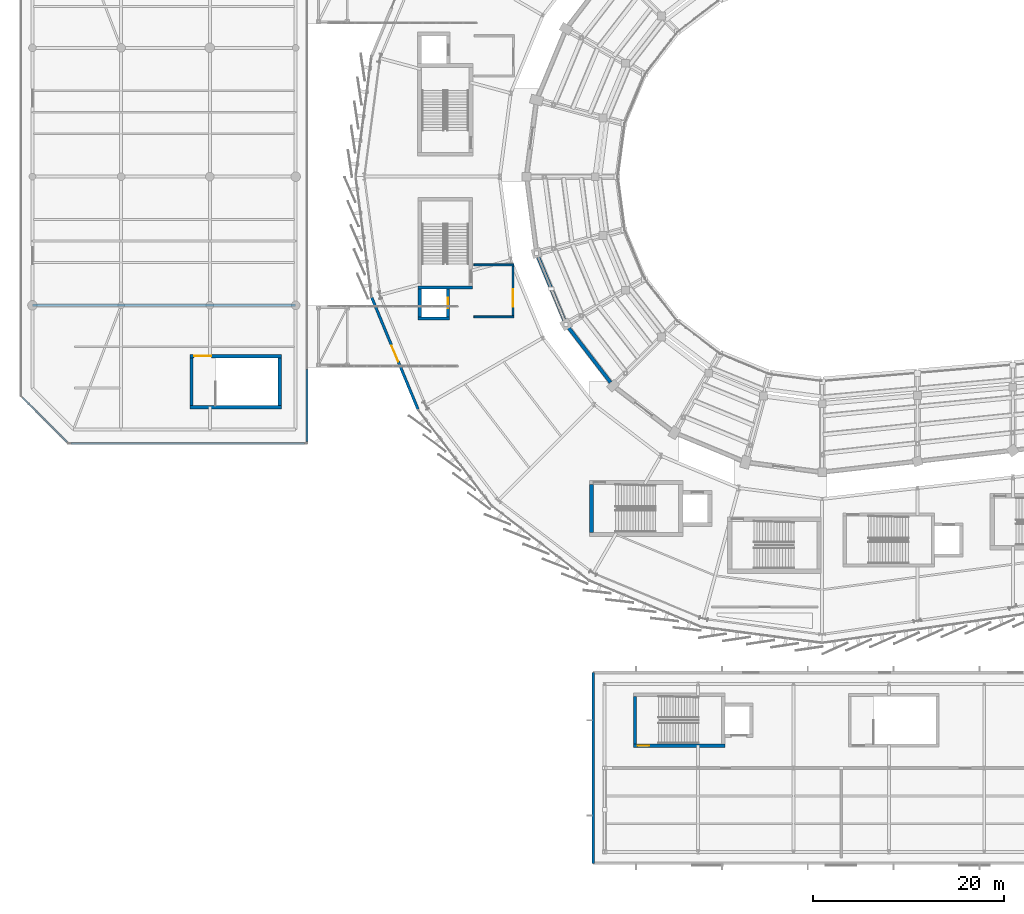
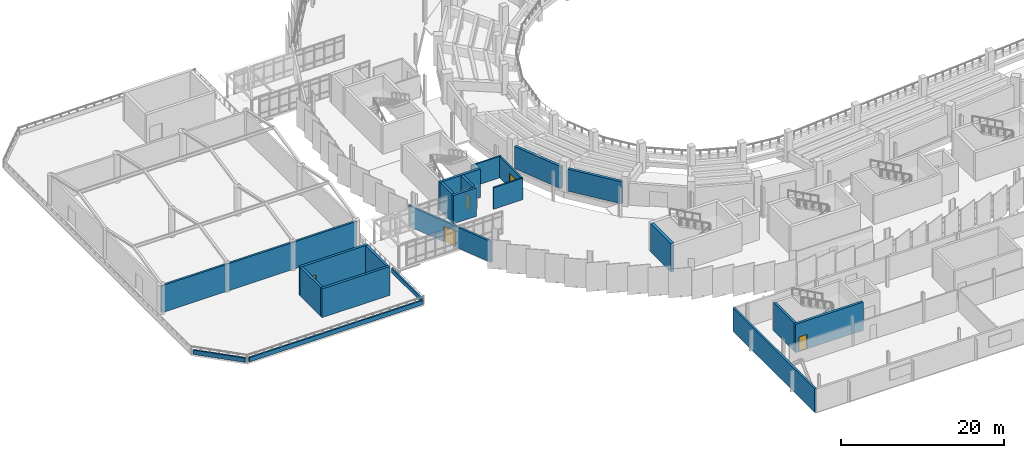
# One storey, part 97 of 120: 22 walls, 5 doors, 5 openings.
"""IFC4 building model written with IfcOpenShell, lengths in metres."""

from ifc_helpers import new_model, si_unit, direction, frame, frame_2d, origin, place, context, subcontext, project, spatial, rectangle, extrude, material, layer, layer_set, type_object, element, fill, save


model = new_model("IFC4")

# Units and contexts
model_context = context("Model", 3, precision=1e-05, world=origin(), true_north=direction((0.0, 1.0)))
body_context = subcontext(model_context, "Body", "Model", "MODEL_VIEW")
ifc_project = project(units=[si_unit("LENGTHUNIT", "METRE"), si_unit("AREAUNIT", "SQUARE_METRE"), si_unit("VOLUMEUNIT", "CUBIC_METRE"), si_unit("PLANEANGLEUNIT", "RADIAN"), si_unit("MASSUNIT", "GRAM", prefix="KILO")], contexts=[model_context])

# Site, building, storey
site_placement = place(None, origin())
site = spatial("IfcSite", under=ifc_project, at=site_placement, CompositionType="ELEMENT")
building_placement = place(site_placement, origin())
building = spatial("IfcBuilding", under=site, at=building_placement, Name="Sohan Crest Arena", CompositionType="ELEMENT")
storey_placement = place(building_placement, frame((0.0, 0.0, 13.5)))
storey = spatial("IfcBuildingStorey", under=building, at=storey_placement, Name="L03", CompositionType="ELEMENT", Elevation=13.5)

# Wall, opening, door
ifc_material_1 = material(Name="Clinker brick and ceramic mosaic envelope wall", Category="masonry")
ifc_layer_1 = layer(ifc_material_1, 0.280029296875, Name="Clinker brick and ceramic mosaic envelope wall")
ifc_layer_set_1 = layer_set([ifc_layer_1], Name="Clinker brick and ceramic mosaic envelope wall")
wall_type_1 = type_object("IfcWallType", Name="WAL-EW02", PredefinedType="SOLIDWALL", material=ifc_layer_set_1)
wall_1_placement = place(storey_placement, frame((50.76611328125, 65.343994140625, 0.0), z_axis=(0.0, 0.0, 1.0), x_axis=(0.382653578879, -0.923891897665, 0.0)))
wall_1 = element("IfcWall", 1, at=wall_1_placement, inside=storey, type_object=wall_type_1, Name="External wall EW-097", PredefinedType="SOLIDWALL", context=body_context, shape_type="SweptSolid", body=[
    extrude(rectangle(XDim=12.765625, YDim=0.280029296875, at=frame_2d((6.3828125, 0.0))), origin(), (0.0, 0.0, 1.0), 3.10009765625),
])
opening_1_placement = place(wall_1_placement, frame((5.48291015625, 0.0, 0.0)))
opening_1 = element("IfcOpeningElement", 2, at=opening_1_placement, cuts=wall_1, Name="Opening BD-L03-08", PredefinedType="OPENING", context=body_context, shape_type="SweptSolid", body=[
    extrude(rectangle(XDim=1.800048828125, YDim=2.35009765625, at=frame_2d((0.89990234375, 1.175048828125))), frame((0.0, 0.14990234375, 0.0), z_axis=(0.0, -1.0, 0.0), x_axis=(1.0, 0.0, 0.0)), (0.0, 0.0, 1.0), 0.300048828125),
])
ifc_material_2 = material(Name="Glazed aluminium terrace access door", Category="aluminium")
door_type_1 = type_object("IfcDoorType", Name="DR-ED01", OperationType="DOUBLE_DOOR_SINGLE_SWING", PredefinedType="DOOR", material=ifc_material_2)
door_1_placement = place(opening_1_placement, frame((1.800048828125, 0.0, 0.0), z_axis=(0.0, 0.0, 1.0), x_axis=(-1.0, 0.0, 0.0)))
door_1 = element("IfcDoor", 3, at=door_1_placement, inside=storey, type_object=door_type_1, Name="Covered bridge passage door BD-L03-08", OperationType="DOUBLE_DOOR_SINGLE_SWING", OverallHeight=2.35009765625, OverallWidth=1.800048828125, PredefinedType="DOOR", context=body_context, shape_type="SweptSolid", body=[
    extrude(rectangle(XDim=1.800048828125, YDim=2.35009765625, at=frame_2d((0.89990234375, 1.175048828125))), frame((0.0, 0.02490234375, 0.0), z_axis=(0.0, -1.0, 0.0), x_axis=(1.0, 0.0, 0.0)), (0.0, 0.0, 1.0), 0.050048828125),
])
fill(opening_1, door_1)

# Walls
wall_2_placement = place(storey_placement, frame((74.0, 26.0, 0.0), z_axis=(0.0, 0.0, 1.0), x_axis=(0.0, -1.0, 0.0)))
element("IfcWall", 4, at=wall_2_placement, inside=storey, type_object=wall_type_1, Name="External wall EW-141", PredefinedType="SOLIDWALL", context=body_context, shape_type="SweptSolid", body=[
    extrude(rectangle(XDim=20.0, YDim=0.280029296875, at=frame_2d((10.0, 0.0))), origin(), (0.0, 0.0, 1.0), 3.5),
])
wall_3_placement = place(storey_placement, frame((15.199951171875, 64.5, 0.0), z_axis=(0.0, 0.0, 1.0), x_axis=(1.0, 0.0, 0.0)))
element("IfcWall", 5, at=wall_3_placement, inside=storey, type_object=wall_type_1, Name="Interior partition wall PW-0895", PredefinedType="SOLIDWALL", context=body_context, shape_type="SweptSolid", body=[
    extrude(rectangle(XDim=27.60009765625, YDim=0.280029296875, at=frame_2d((13.800048828125, 0.0))), origin(), (0.0, 0.0, 1.0), 4.050048828125),
])
ifc_material_3 = material(Name="Acoustic insulated bowl drum enclosure wall", Category="masonry")
ifc_layer_2 = layer(ifc_material_3, 0.3701171875, Name="Acoustic insulated bowl drum enclosure wall")
ifc_layer_set_2 = layer_set([ifc_layer_2], Name="Acoustic insulated bowl drum enclosure wall")
wall_type_2 = type_object("IfcWallType", Name="WAL-EW05", PredefinedType="SOLIDWALL", material=ifc_layer_set_2)
wall_4_placement = place(storey_placement, frame((68.22412109375, 69.570068359375, 0.0), z_axis=(0.0, 0.0, 1.0), x_axis=(0.382807189089, -0.923828261086, 0.0)))
element("IfcWall", 6, at=wall_4_placement, inside=storey, type_object=wall_type_2, Name="Acoustic bowl drum wall BW-L03-08", PredefinedType="SOLIDWALL", context=body_context, shape_type="SweptSolid", body=[
    extrude(rectangle(XDim=7.21240234375, YDim=0.3701171875, at=frame_2d((3.606201171875, 0.0))), origin(), (0.0, 0.0, 1.0), 3.300048828125),
])
wall_5_placement = place(storey_placement, frame((71.4208984375, 62.15087890625, 0.0), z_axis=(0.0, 0.0, 1.0), x_axis=(0.608807390719, -0.793318070515, 0.0)))
element("IfcWall", 7, at=wall_5_placement, inside=storey, type_object=wall_type_2, Name="Acoustic bowl drum wall BW-L03-09", PredefinedType="SOLIDWALL", context=body_context, shape_type="SweptSolid", body=[
    extrude(rectangle(XDim=7.212646484375, YDim=0.3701171875, at=frame_2d((3.6064453125, 0.0))), origin(), (0.0, 0.0, 1.0), 3.300048828125),
])
ifc_material_4 = material(Name="Fire-rated masonry blockwork compartment wall", Category="masonry")
ifc_layer_3 = layer(ifc_material_4, 0.199951171875, Name="Fire-rated masonry blockwork compartment wall")
ifc_layer_set_3 = layer_set([ifc_layer_3], Name="Fire-rated masonry blockwork compartment wall")
wall_type_3 = type_object("IfcWallType", Name="WAL-FW01", PredefinedType="PARTITIONING", material=ifc_layer_set_3)
for number, where, z_axis, x_axis, name in (
    (8, (61.489990234375, 63.300048828125, 0.0), (0.0, 0.0, 1.0), (1.0, 0.0, 0.0), "Interior partition wall PW-0048"),
    (9, (61.489990234375, 68.75, 0.0), (0.0, 0.0, 1.0), (1.0, 0.0, 0.0), "Interior partition wall PW-0049"),
):
    element("IfcWall", number, at=place(storey_placement, frame(where, z_axis=z_axis, x_axis=x_axis)), inside=storey, type_object=wall_type_3, Name=name, PredefinedType="PARTITIONING", context=body_context, shape_type="SweptSolid", body=[
        extrude(rectangle(XDim=4.179931640625, YDim=0.199951171875, at=frame_2d((2.08984375, 0.0))), origin(), (0.0, 0.0, 1.0), 3.219970703125),
    ])

# Wall, opening, door
wall_6_placement = place(storey_placement, frame((65.570068359375, 63.419921875, 0.0), z_axis=(0.0, 0.0, 1.0), x_axis=(0.0, 1.0, 0.0)))
wall_6 = element("IfcWall", 10, at=wall_6_placement, inside=storey, type_object=wall_type_3, Name="Interior partition wall PW-0050", PredefinedType="PARTITIONING", context=body_context, shape_type="SweptSolid", body=[
    extrude(rectangle(XDim=5.2099609375, YDim=0.199951171875, at=frame_2d((2.60498046875, 0.0))), origin(), (0.0, 0.0, 1.0), 3.219970703125),
])
opening_2_placement = place(wall_6_placement, frame((0.949951171875, 0.0, 0.0)))
opening_2 = element("IfcOpeningElement", 11, at=opening_2_placement, cuts=wall_6, Name="Opening FFL-0015", PredefinedType="OPENING", context=body_context, shape_type="SweptSolid", body=[
    extrude(rectangle(XDim=1.800048828125, YDim=2.199951171875, at=frame_2d((0.89990234375, 1.10009765625))), frame((0.0, 0.10986328125, 0.0), z_axis=(0.0, -1.0, 0.0), x_axis=(1.0, 0.0, 0.0)), (0.0, 0.0, 1.0), 0.219970703125),
])
ifc_material_5 = material(Name="Fire-rated timber-faced lobby double door", Category="wood")
door_type_2 = type_object("IfcDoorType", Name="DR-FD03", OperationType="DOUBLE_DOOR_SINGLE_SWING", PredefinedType="DOOR", material=ifc_material_5)
door_2_placement = place(opening_2_placement, origin())
door_2 = element("IfcDoor", 12, at=door_2_placement, inside=storey, type_object=door_type_2, Name="Firefighting lift lobby door FL01 FFL-0015", OperationType="DOUBLE_DOOR_SINGLE_SWING", OverallHeight=2.199951171875, OverallWidth=1.800048828125, PredefinedType="DOOR", context=body_context, shape_type="SweptSolid", body=[
    extrude(rectangle(XDim=1.800048828125, YDim=2.199951171875, at=frame_2d((0.89990234375, 1.10009765625))), frame((0.0, 0.02490234375, 0.0), z_axis=(0.0, -1.0, 0.0), x_axis=(1.0, 0.0, 0.0)), (0.0, 0.0, 1.0), 0.050048828125),
])
fill(opening_2, door_2)

# Walls
ifc_material_6 = material(Name="Glazed trencadis ceramic parapet wall", Category="masonry")
ifc_layer_4 = layer(ifc_material_6, 0.2099609375, Name="Glazed trencadis ceramic parapet wall")
ifc_layer_set_4 = layer_set([ifc_layer_4], Name="Glazed trencadis ceramic parapet wall")
wall_type_4 = type_object("IfcWallType", Name="WAL-PP01", PredefinedType="PARAPET", material=ifc_layer_set_4)
wall_7_placement = place(storey_placement, frame((19.25, 50.0, 0.0), z_axis=(0.0, 0.0, 1.0), x_axis=(1.0, 0.0, 0.0)))
element("IfcWall", 13, at=wall_7_placement, inside=storey, type_object=wall_type_4, Name="Ceramic mosaic terrace parapet PP-01", PredefinedType="PARAPET", context=body_context, shape_type="SweptSolid", body=[
    extrude(rectangle(XDim=24.5, YDim=0.2099609375, at=frame_2d((12.25, 0.0))), origin(), (0.0, 0.0, 1.0), 0.64990234375),
])
wall_8_placement = place(storey_placement, frame((44.0, 50.25, 0.0), z_axis=(0.0, 0.0, 1.0), x_axis=(0.0, 1.0, 0.0)))
element("IfcWall", 14, at=wall_8_placement, inside=storey, type_object=wall_type_4, Name="Ceramic mosaic terrace parapet PP-02", PredefinedType="PARAPET", context=body_context, shape_type="SweptSolid", body=[
    extrude(rectangle(XDim=7.550048828125, YDim=0.2099609375, at=frame_2d((3.77490234375, 0.0))), origin(), (0.0, 0.0, 1.0), 0.64990234375),
])
wall_9_placement = place(storey_placement, frame((14.177001953125, 54.822998046875, 0.0), z_axis=(0.0, 0.0, 1.0), x_axis=(0.707106781187, -0.707106781187, 0.0)))
element("IfcWall", 15, at=wall_9_placement, inside=storey, type_object=wall_type_4, Name="Ceramic mosaic terrace parapet PP-08", PredefinedType="PARAPET", context=body_context, shape_type="SweptSolid", body=[
    extrude(rectangle(XDim=6.5703125, YDim=0.2099609375, at=frame_2d((3.28515625, 0.0))), origin(), (0.0, 0.0, 1.0), 0.64990234375),
])
ifc_material_7 = material(Name="Concrete C40/50", Category="concrete")
ifc_layer_5 = layer(ifc_material_7, 0.35009765625, Name="Concrete C40/50")
ifc_layer_set_5 = layer_set([ifc_layer_5], Name="Concrete C40/50")
wall_type_5 = type_object("IfcWallType", Name="WAL-SW02", PredefinedType="SHEAR", material=ifc_layer_set_5)
wall_10_placement = place(storey_placement, frame((55.64990234375, 66.375, 0.0), z_axis=(0.0, 0.0, 1.0), x_axis=(1.0, 0.0, 0.0)))
element("IfcWall", 16, at=wall_10_placement, inside=storey, type_object=wall_type_5, Name="Core shear wall SW-0041", PredefinedType="SHEAR", context=body_context, shape_type="SweptSolid", body=[
    extrude(rectangle(XDim=5.7001953125, YDim=0.35009765625, at=frame_2d((2.85009765625, 0.0))), origin(), (0.0, 0.0, 1.0), 4.25),
])
wall_11_placement = place(storey_placement, frame((55.824951171875, 63.300048828125, 0.0), z_axis=(0.0, 0.0, 1.0), x_axis=(0.0, 1.0, 0.0)))
element("IfcWall", 17, at=wall_11_placement, inside=storey, type_object=wall_type_5, Name="Core shear wall SW-0045", PredefinedType="SHEAR", context=body_context, shape_type="SweptSolid", body=[
    extrude(rectangle(XDim=2.89990234375, YDim=0.35009765625, at=frame_2d((1.449951171875, 0.0))), origin(), (0.0, 0.0, 1.0), 4.25),
])

# Wall, opening, door
wall_12_placement = place(storey_placement, frame((58.77490234375, 63.300048828125, 0.0), z_axis=(0.0, 0.0, 1.0), x_axis=(0.0, 1.0, 0.0)))
wall_12 = element("IfcWall", 18, at=wall_12_placement, inside=storey, type_object=wall_type_5, Name="Core shear wall SW-0046", PredefinedType="SHEAR", context=body_context, shape_type="SweptSolid", body=[
    extrude(rectangle(XDim=2.89990234375, YDim=0.35009765625, at=frame_2d((1.449951171875, 0.0))), origin(), (0.0, 0.0, 1.0), 4.25),
])
opening_3_placement = place(wall_12_placement, frame((0.89990234375, 0.0, 0.0)))
opening_3 = element("IfcOpeningElement", 19, at=opening_3_placement, cuts=wall_12, Name="Opening LD-FL01-L03", PredefinedType="OPENING", context=body_context, shape_type="SweptSolid", body=[
    extrude(rectangle(XDim=1.10009765625, YDim=2.199951171875, at=frame_2d((0.550048828125, 1.10009765625))), frame((0.0, 0.18505859375, 0.0), z_axis=(0.0, -1.0, 0.0), x_axis=(1.0, 0.0, 0.0)), (0.0, 0.0, 1.0), 0.3701171875),
])
ifc_material_8 = material(Name="Stainless steel firefighting lift landing door", Category="steel")
door_type_3 = type_object("IfcDoorType", Name="DR-LD01", OperationType="SLIDING_TO_LEFT", PredefinedType="DOOR", material=ifc_material_8)
door_3_placement = place(opening_3_placement, origin())
door_3 = element("IfcDoor", 20, at=door_3_placement, inside=storey, type_object=door_type_3, Name="Sliding lift landing door LD-FL01-L03", OperationType="SLIDING_TO_LEFT", OverallHeight=2.199951171875, OverallWidth=1.10009765625, PredefinedType="DOOR", context=body_context, shape_type="SweptSolid", body=[
    extrude(rectangle(XDim=1.10009765625, YDim=2.199951171875, at=frame_2d((0.550048828125, 1.10009765625))), frame((0.0, 0.02490234375, 0.0), z_axis=(0.0, -1.0, 0.0), x_axis=(1.0, 0.0, 0.0)), (0.0, 0.0, 1.0), 0.050048828125),
])
fill(opening_3, door_3)

# Walls
wall_13_placement = place(storey_placement, frame((55.64990234375, 63.125, 0.0), z_axis=(0.0, 0.0, 1.0), x_axis=(1.0, 0.0, 0.0)))
element("IfcWall", 21, at=wall_13_placement, inside=storey, type_object=wall_type_5, Name="Core shear wall SW-0047", PredefinedType="SHEAR", context=body_context, shape_type="SweptSolid", body=[
    extrude(rectangle(XDim=3.300048828125, YDim=0.35009765625, at=frame_2d((1.64990234375, 0.0))), origin(), (0.0, 0.0, 1.0), 4.25),
])
for number, where, z_axis, x_axis, name in (
    (22, (31.875, 54.0, 0.0), (0.0, 0.0, 1.0), (0.0, 1.0, 0.0), "Core shear wall SW-0552"),
    (23, (41.125, 54.0, 0.0), (0.0, 0.0, 1.0), (0.0, 1.0, 0.0), "Core shear wall SW-0553"),
):
    element("IfcWall", number, at=place(storey_placement, frame(where, z_axis=z_axis, x_axis=x_axis)), inside=storey, type_object=wall_type_5, Name=name, PredefinedType="SHEAR", context=body_context, shape_type="SweptSolid", body=[
        extrude(rectangle(XDim=5.0, YDim=0.35009765625, at=frame_2d((2.5, 0.0))), origin(), (0.0, 0.0, 1.0), 4.304931640625),
    ])
wall_14_placement = place(storey_placement, frame((31.699951171875, 53.824951171875, 0.0), z_axis=(0.0, 0.0, 1.0), x_axis=(1.0, 0.0, 0.0)))
element("IfcWall", 24, at=wall_14_placement, inside=storey, type_object=wall_type_5, Name="Core shear wall SW-0554", PredefinedType="SHEAR", context=body_context, shape_type="SweptSolid", body=[
    extrude(rectangle(XDim=9.60009765625, YDim=0.35009765625, at=frame_2d((4.800048828125, 0.0))), origin(), (0.0, 0.0, 1.0), 4.304931640625),
])

# Wall, opening, door
wall_15_placement = place(storey_placement, frame((31.699951171875, 59.175048828125, 0.0), z_axis=(0.0, 0.0, 1.0), x_axis=(1.0, 0.0, 0.0)))
wall_15 = element("IfcWall", 25, at=wall_15_placement, inside=storey, type_object=wall_type_5, Name="Core shear wall SW-0555", PredefinedType="SHEAR", context=body_context, shape_type="SweptSolid", body=[
    extrude(rectangle(XDim=9.60009765625, YDim=0.35009765625, at=frame_2d((4.800048828125, 0.0))), origin(), (0.0, 0.0, 1.0), 4.304931640625),
])
opening_4_placement = place(wall_15_placement, frame((0.449951171875, 0.0, 0.0)))
opening_4 = element("IfcOpeningElement", 26, at=opening_4_placement, cuts=wall_15, Name="Opening SD-0151", PredefinedType="OPENING", context=body_context, shape_type="SweptSolid", body=[
    extrude(rectangle(XDim=1.800048828125, YDim=2.35009765625, at=frame_2d((0.89990234375, 1.175048828125))), frame((0.0, 0.18505859375, 0.0), z_axis=(0.0, -1.0, 0.0), x_axis=(1.0, 0.0, 0.0)), (0.0, 0.0, 1.0), 0.3701171875),
])
door_4_placement = place(opening_4_placement, origin())
door_4 = element("IfcDoor", 27, at=door_4_placement, inside=storey, type_object=door_type_1, Name="Roof garden stair lobby door SD-0151", OperationType="DOUBLE_DOOR_SINGLE_SWING", OverallHeight=2.35009765625, OverallWidth=1.800048828125, PredefinedType="DOOR", context=body_context, shape_type="SweptSolid", body=[
    extrude(rectangle(XDim=1.800048828125, YDim=2.35009765625, at=frame_2d((0.89990234375, 1.175048828125))), frame((0.0, 0.02490234375, 0.0), z_axis=(0.0, -1.0, 0.0), x_axis=(1.0, 0.0, 0.0)), (0.0, 0.0, 1.0), 0.050048828125),
])
fill(opening_4, door_4)

# Wall
wall_16_placement = place(storey_placement, frame((78.375, 18.5, 0.0), z_axis=(0.0, 0.0, 1.0), x_axis=(0.0, 1.0, 0.0)))
element("IfcWall", 28, at=wall_16_placement, inside=storey, type_object=wall_type_5, Name="Core shear wall SW-0677", PredefinedType="SHEAR", context=body_context, shape_type="SweptSolid", body=[
    extrude(rectangle(XDim=5.0, YDim=0.35009765625, at=frame_2d((2.5, 0.0))), origin(), (0.0, 0.0, 1.0), 4.25),
])

# Wall, opening, door
wall_17_placement = place(storey_placement, frame((78.199951171875, 18.324951171875, 0.0), z_axis=(0.0, 0.0, 1.0), x_axis=(1.0, 0.0, 0.0)))
wall_17 = element("IfcWall", 29, at=wall_17_placement, inside=storey, type_object=wall_type_5, Name="Core shear wall SW-0679", PredefinedType="SHEAR", context=body_context, shape_type="SweptSolid", body=[
    extrude(rectangle(XDim=9.60009765625, YDim=0.35009765625, at=frame_2d((4.800048828125, 0.0))), origin(), (0.0, 0.0, 1.0), 4.25),
])
opening_5_placement = place(wall_17_placement, frame((0.449951171875, 0.0, 0.0)))
opening_5 = element("IfcOpeningElement", 30, at=opening_5_placement, cuts=wall_17, Name="Opening SD-0183", PredefinedType="OPENING", context=body_context, shape_type="SweptSolid", body=[
    extrude(rectangle(XDim=1.199951171875, YDim=2.199951171875, at=frame_2d((0.60009765625, 1.10009765625))), frame((0.0, 0.18505859375, 0.0), z_axis=(0.0, -1.0, 0.0), x_axis=(1.0, 0.0, 0.0)), (0.0, 0.0, 1.0), 0.3701171875),
])
ifc_material_9 = material(Name="Fire-rated steel stair and lobby door", Category="steel")
door_type_4 = type_object("IfcDoorType", Name="DR-FD04", OperationType="NOTDEFINED", PredefinedType="DOOR", material=ifc_material_9)
door_5_placement = place(opening_5_placement, frame((1.199951171875, 0.0, 0.0), z_axis=(0.0, 0.0, 1.0), x_axis=(-1.0, 0.0, 0.0)))
door_5 = element("IfcDoor", 31, at=door_5_placement, inside=storey, type_object=door_type_4, Name="Protected stair door SD-0183", OperationType="SINGLE_SWING_LEFT", OverallHeight=2.199951171875, OverallWidth=1.199951171875, PredefinedType="DOOR", context=body_context, shape_type="SweptSolid", body=[
    extrude(rectangle(XDim=1.199951171875, YDim=2.199951171875, at=frame_2d((0.60009765625, 1.10009765625))), frame((0.0, 0.02490234375, 0.0), z_axis=(0.0, -1.0, 0.0), x_axis=(1.0, 0.0, 0.0)), (0.0, 0.0, 1.0), 0.050048828125),
])
fill(opening_5, door_5)

# Wall
ifc_layer_6 = layer(ifc_material_7, 0.449951171875, Name="Concrete C40/50")
ifc_layer_set_6 = layer_set([ifc_layer_6], Name="Concrete C40/50")
wall_type_6 = type_object("IfcWallType", Name="WAL-SW04", PredefinedType="SHEAR", material=ifc_layer_set_6)
wall_18_placement = place(storey_placement, frame((73.824951171875, 40.699951171875, 0.0), z_axis=(0.0, 0.0, 1.0), x_axis=(0.0, 1.0, 0.0)))
element("IfcWall", 32, at=wall_18_placement, inside=storey, type_object=wall_type_6, Name="Core shear wall SW-0169", PredefinedType="SHEAR", context=body_context, shape_type="SweptSolid", body=[
    extrude(rectangle(XDim=5.0, YDim=0.449951171875, at=frame_2d((2.5, 0.0))), origin(), (0.0, 0.0, 1.0), 4.25),
])

save(model, "model.ifc")
